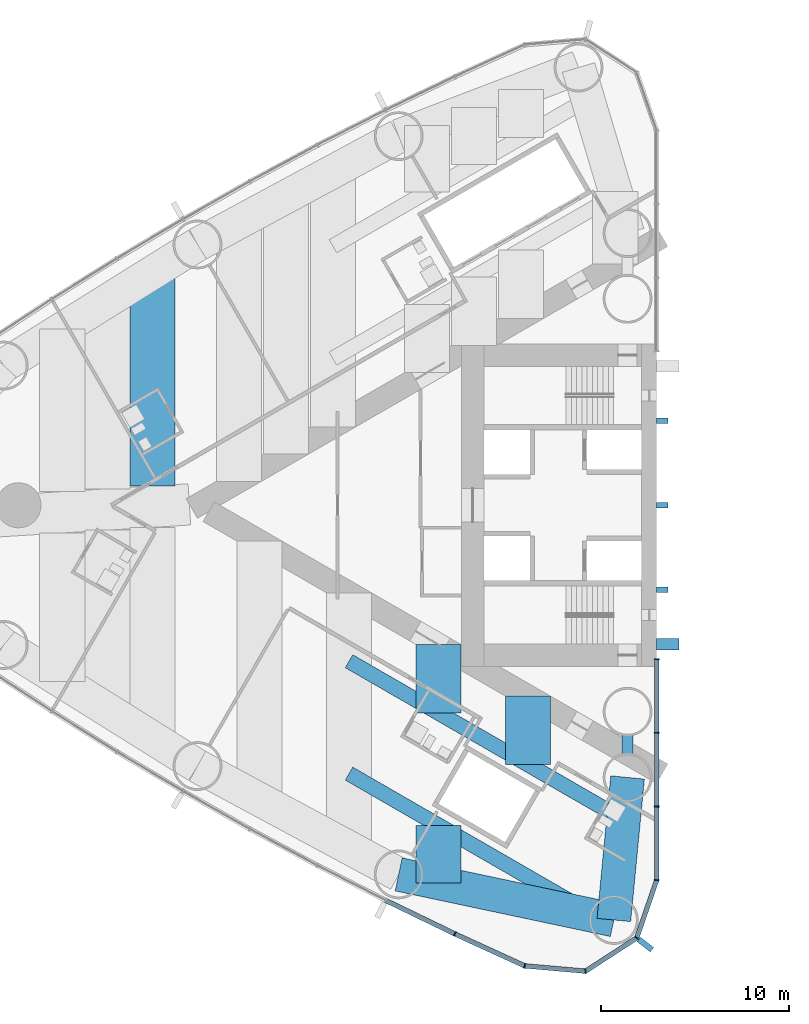
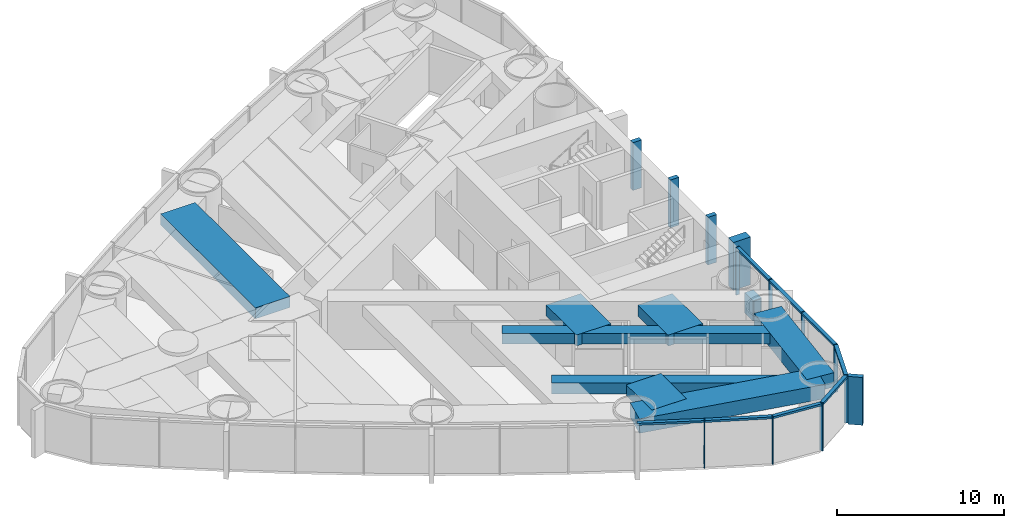
# One storey, part 3 of 18: 21 members, 9 beams, 1 element without a shape of its own.
"""IFC4 building model written with IfcOpenShell, lengths in metres."""

from ifc_helpers import new_model, si_unit, direction, frame, origin, origin_2d, place, context, subcontext, project, spatial, rectangle, hollow_rectangle, extrude, material, material_profile, profile_set, type_object, element, aggregate, save


model = new_model("IFC4")

# Units and contexts
model_context = context("Model", 3, precision=1e-05, world=origin(), true_north=direction((0.0, 1.0)))
body_context = subcontext(model_context, "Body", "Model", "MODEL_VIEW")
ifc_project = project(units=[si_unit("LENGTHUNIT", "METRE"), si_unit("AREAUNIT", "SQUARE_METRE"), si_unit("VOLUMEUNIT", "CUBIC_METRE"), si_unit("PLANEANGLEUNIT", "RADIAN"), si_unit("MASSUNIT", "GRAM", prefix="KILO")], contexts=[model_context])

# Site, building, storey
site_placement = place(None, origin())
site = spatial("IfcSite", under=ifc_project, at=site_placement, CompositionType="ELEMENT")
building_placement = place(site_placement, origin())
building = spatial("IfcBuilding", under=site, at=building_placement, Name="Lancet Gate Hotel", CompositionType="ELEMENT")
storey_placement = place(building_placement, frame((0.0, 0.0, 136.10009765625)))
storey = spatial("IfcBuildingStorey", under=building, at=storey_placement, Name="L36", CompositionType="ELEMENT", Elevation=136.10009765625)

# Curtain wall, members
ifc_material_1 = material(Name="Aluminium curtain wall", Category="aluminium")
curtain_wall_type = type_object("IfcCurtainWallType", Name="Tower unitised curtain wall", PredefinedType="USERDEFINED", material=ifc_material_1)
curtain_wall_placement = place(storey_placement, origin())
curtain_wall = element("IfcCurtainWall", 1, at=curtain_wall_placement, inside=storey, type_object=curtain_wall_type, Name="T1 L36 curtain wall 1", ObjectType="UNITISED CURTAIN WALL", PredefinedType="USERDEFINED")
ifc_material_2 = material(Name="Aluminium mullion", Category="aluminium")
ifc_material_profile_1 = material_profile(ifc_material_2, rectangle(XDim=0.06494140625, YDim=0.25, at=origin_2d()), Name="MULLION 65x250")
ifc_profile_set_1 = profile_set([ifc_material_profile_1], Name="Aluminium mullion")
member_type_1 = type_object("IfcMemberType", Name="Aluminium mullion 65x250", PredefinedType="MULLION", material=ifc_profile_set_1)
member_1_placement = place(storey_placement, frame((-38.25244140625, -22.83642578125, 0.0), z_axis=(0.0, 0.0, 1.0), x_axis=(0.904719609771, -0.426007544178, 0.0)))
member_1 = element("IfcMember", 2, at=member_1_placement, type_object=member_type_1, Name="T1 L36 curtain wall 1 mullion 29", PredefinedType="MULLION", context=body_context, shape_type="SweptSolid", body=[
    extrude(rectangle(XDim=0.06494140625, YDim=0.25, at=origin_2d()), origin(), (0.0, 0.0, 1.0), 3.5),
])
member_2_placement = place(storey_placement, frame((-34.5322265625, -24.53955078125, 0.0), z_axis=(0.0, 0.0, 1.0), x_axis=(0.961653318232, -0.27426792655, 0.0)))
member_2 = element("IfcMember", 3, at=member_2_placement, type_object=member_type_1, Name="T1 L36 curtain wall 1 mullion 30", PredefinedType="MULLION", context=body_context, shape_type="SweptSolid", body=[
    extrude(rectangle(XDim=0.06494140625, YDim=0.25, at=origin_2d()), origin(), (0.0, 0.0, 1.0), 3.5),
])
member_3_placement = place(storey_placement, frame((-31.289306640625, -24.822265625, 0.0), z_axis=(0.0, 0.0, 1.0), x_axis=(0.970242142288, 0.242136707934, 0.0)))
member_3 = element("IfcMember", 4, at=member_3_placement, type_object=member_type_1, Name="T1 L36 curtain wall 1 mullion 31", PredefinedType="MULLION", context=body_context, shape_type="SweptSolid", body=[
    extrude(rectangle(XDim=0.06494140625, YDim=0.25, at=origin_2d()), origin(), (0.0, 0.0, 1.0), 3.5),
])
member_4_placement = place(storey_placement, frame((-28.5595703125, -23.049072265625, 0.0), z_axis=(0.0, 0.0, 1.0), x_axis=(0.615574240878, 0.788078900851, 0.0)))
member_4 = element("IfcMember", 5, at=member_4_placement, type_object=member_type_1, Name="T1 L36 curtain wall 1 mullion 32", PredefinedType="MULLION", context=body_context, shape_type="SweptSolid", body=[
    extrude(rectangle(XDim=0.06494140625, YDim=0.25, at=origin_2d()), origin(), (0.0, 0.0, 1.0), 3.5),
])
member_5_placement = place(storey_placement, frame((-27.5, -19.97119140625, 0.0), z_axis=(0.0, 0.0, 1.0), x_axis=(0.149634446211, 0.988741388082, 0.0)))
member_5 = element("IfcMember", 6, at=member_5_placement, type_object=member_type_1, Name="T1 L36 curtain wall 1 mullion 33", PredefinedType="MULLION", context=body_context, shape_type="SweptSolid", body=[
    extrude(rectangle(XDim=0.06494140625, YDim=0.25, at=origin_2d()), origin(), (0.0, 0.0, 1.0), 3.5),
])
member_6_placement = place(storey_placement, frame((-27.5, -16.04736328125, 0.0), z_axis=(0.0, 0.0, 1.0), x_axis=(0.0, 1.0, 0.0)))
member_6 = element("IfcMember", 7, at=member_6_placement, type_object=member_type_1, Name="T1 L36 curtain wall 1 mullion 34", PredefinedType="MULLION", context=body_context, shape_type="SweptSolid", body=[
    extrude(rectangle(XDim=0.06494140625, YDim=0.25, at=origin_2d()), origin(), (0.0, 0.0, 1.0), 3.5),
])
member_7_placement = place(storey_placement, frame((-27.5, -12.123779296875, 0.0), z_axis=(0.0, 0.0, 1.0), x_axis=(0.0, 1.0, 0.0)))
member_7 = element("IfcMember", 8, at=member_7_placement, type_object=member_type_1, Name="T1 L36 curtain wall 1 mullion 35", PredefinedType="MULLION", context=body_context, shape_type="SweptSolid", body=[
    extrude(rectangle(XDim=0.06494140625, YDim=0.25, at=origin_2d()), origin(), (0.0, 0.0, 1.0), 3.5),
])
member_8_placement = place(storey_placement, frame((-27.5, -8.199951171875, 0.0), z_axis=(0.0, 0.0, 1.0), x_axis=(0.0, 1.0, 0.0)))
member_8 = element("IfcMember", 9, at=member_8_placement, type_object=member_type_1, Name="T1 L36 curtain wall 1 mullion 36", PredefinedType="MULLION", context=body_context, shape_type="SweptSolid", body=[
    extrude(rectangle(XDim=0.06494140625, YDim=0.25, at=origin_2d()), origin(), (0.0, 0.0, 1.0), 3.5),
])
ifc_material_3 = material(Name="Aluminium transom", Category="aluminium")
ifc_material_profile_2 = material_profile(ifc_material_3, rectangle(XDim=0.25, YDim=0.14990234375, at=origin_2d()), Name="TRANSOM 250x150")
ifc_profile_set_2 = profile_set([ifc_material_profile_2], Name="Aluminium transom")
member_type_2 = type_object("IfcMemberType", Name="Aluminium transom 250x150", PredefinedType="USERDEFINED", material=ifc_profile_set_2)
member_9_placement = place(storey_placement, frame((-41.906005859375, -21.067626953125, 3.4248046875), z_axis=(0.900065677074, -0.435754262117, 0.0), x_axis=(0.435754262117, 0.900065677074, 0.0)))
member_9 = element("IfcMember", 10, at=member_9_placement, type_object=member_type_2, Name="T1 L36 curtain wall 1 transom 28", ObjectType="TRANSOM", PredefinedType="USERDEFINED", context=body_context, shape_type="SweptSolid", body=[
    extrude(rectangle(XDim=0.25, YDim=0.14990234375, at=origin_2d()), origin(), (0.0, 0.0, 1.0), 4.026611328125),
])
member_10_placement = place(storey_placement, frame((-38.222900390625, -22.849853515625, 3.4248046875), z_axis=(0.909252284196, -0.416245460857, 0.0), x_axis=(0.416245460857, 0.909252284196, 0.0)))
member_10 = element("IfcMember", 11, at=member_10_placement, type_object=member_type_2, Name="T1 L36 curtain wall 1 transom 29", ObjectType="TRANSOM", PredefinedType="USERDEFINED", context=body_context, shape_type="SweptSolid", body=[
    extrude(rectangle(XDim=0.25, YDim=0.14990234375, at=origin_2d()), origin(), (0.0, 0.0, 1.0), 4.026611328125),
])
member_11_placement = place(storey_placement, frame((-34.499755859375, -24.542236328125, 3.4248046875), z_axis=(0.996213545522, -0.086940046686, 0.0), x_axis=(0.086940046686, 0.996213545522, 0.0)))
member_11 = element("IfcMember", 12, at=member_11_placement, type_object=member_type_2, Name="T1 L36 curtain wall 1 transom 30", ObjectType="TRANSOM", PredefinedType="USERDEFINED", context=body_context, shape_type="SweptSolid", body=[
    extrude(rectangle(XDim=0.25, YDim=0.14990234375, at=origin_2d()), origin(), (0.0, 0.0, 1.0), 3.18994140625),
])
member_12_placement = place(storey_placement, frame((-31.261962890625, -24.8046875, 3.4248046875), z_axis=(0.838550259452, 0.544824249068, 0.0), x_axis=(-0.544824249068, 0.838550259452, 0.0)))
member_12 = element("IfcMember", 13, at=member_12_placement, type_object=member_type_2, Name="T1 L36 curtain wall 1 transom 31", ObjectType="TRANSOM", PredefinedType="USERDEFINED", context=body_context, shape_type="SweptSolid", body=[
    extrude(rectangle(XDim=0.25, YDim=0.14990234375, at=origin_2d()), origin(), (0.0, 0.0, 1.0), 3.190185546875),
])
member_13_placement = place(storey_placement, frame((-28.549072265625, -23.018310546875, 3.4248046875), z_axis=(0.32553312754, 0.945530635609, 0.0), x_axis=(-0.945530635609, 0.32553312754, 0.0)))
member_13 = element("IfcMember", 14, at=member_13_placement, type_object=member_type_2, Name="T1 L36 curtain wall 1 transom 32", ObjectType="TRANSOM", PredefinedType="USERDEFINED", context=body_context, shape_type="SweptSolid", body=[
    extrude(rectangle(XDim=0.25, YDim=0.14990234375, at=origin_2d()), origin(), (0.0, 0.0, 1.0), 3.1904296875),
])
member_14_placement = place(storey_placement, frame((-27.5, -19.9384765625, 3.4248046875), z_axis=(0.0, 1.0, 0.0), x_axis=(-1.0, 0.0, 0.0)))
member_14 = element("IfcMember", 15, at=member_14_placement, type_object=member_type_2, Name="T1 L36 curtain wall 1 transom 33", ObjectType="TRANSOM", PredefinedType="USERDEFINED", context=body_context, shape_type="SweptSolid", body=[
    extrude(rectangle(XDim=0.25, YDim=0.14990234375, at=origin_2d()), origin(), (0.0, 0.0, 1.0), 3.858642578125),
])
member_15_placement = place(storey_placement, frame((-27.5, -16.014892578125, 3.4248046875), z_axis=(0.0, 1.0, 0.0), x_axis=(-1.0, 0.0, 0.0)))
member_15 = element("IfcMember", 16, at=member_15_placement, type_object=member_type_2, Name="T1 L36 curtain wall 1 transom 34", ObjectType="TRANSOM", PredefinedType="USERDEFINED", context=body_context, shape_type="SweptSolid", body=[
    extrude(rectangle(XDim=0.25, YDim=0.14990234375, at=origin_2d()), origin(), (0.0, 0.0, 1.0), 3.858642578125),
])
member_16_placement = place(storey_placement, frame((-27.5, -12.09130859375, 3.4248046875), z_axis=(0.0, 1.0, 0.0), x_axis=(-1.0, 0.0, 0.0)))
member_16 = element("IfcMember", 17, at=member_16_placement, type_object=member_type_2, Name="T1 L36 curtain wall 1 transom 35", ObjectType="TRANSOM", PredefinedType="USERDEFINED", context=body_context, shape_type="SweptSolid", body=[
    extrude(rectangle(XDim=0.25, YDim=0.14990234375, at=origin_2d()), origin(), (0.0, 0.0, 1.0), 3.85888671875),
])

# Beams
ifc_material_4 = material(Name="Concrete C50/60", Category="concrete")
ifc_material_profile_3 = material_profile(ifc_material_4, rectangle(XDim=1.800048828125, YDim=1.050048828125, at=origin_2d()), Name="RC 1800x1050")
ifc_profile_set_3 = profile_set([ifc_material_profile_3], Name="Concrete C50/60")
beam_type_1 = type_object("IfcBeamType", Name="Edge beam RC 1800x1050", PredefinedType="SPANDREL", material=ifc_profile_set_3)
beam_1_placement = place(storey_placement, frame((-41.244873046875, -19.665771484375, 2.724853515625), z_axis=(0.978282156247, -0.207277646573, 0.0), x_axis=(0.207277646573, 0.978282156247, 0.0)))
element("IfcBeam", 18, at=beam_1_placement, inside=storey, type_object=beam_type_1, Name="T1 edge beam EB1 L36", PredefinedType="SPANDREL", context=body_context, shape_type="SweptSolid", body=[
    extrude(rectangle(XDim=1.800048828125, YDim=1.050048828125, at=origin_2d()), origin(), (0.0, 0.0, 1.0), 11.71826171875),
])
beam_2_placement = place(storey_placement, frame((-29.050048828125, -14.5, 2.724853515625), z_axis=(-0.095802643786, -0.995400348324, 0.0), x_axis=(0.995400348324, -0.095802643786, 0.0)))
element("IfcBeam", 19, at=beam_2_placement, inside=storey, type_object=beam_type_1, Name="T1 edge beam EB1 L36", PredefinedType="SPANDREL", context=body_context, shape_type="SweptSolid", body=[
    extrude(rectangle(XDim=1.800048828125, YDim=1.050048828125, at=origin_2d()), origin(), (0.0, 0.0, 1.0), 7.6298828125),
])

# Member
ifc_material_5 = material(Name="Concrete C60/75", Category="concrete")
ifc_material_profile_4 = material_profile(ifc_material_5, rectangle(XDim=0.60009765625, YDim=1.199951171875, at=origin_2d()), Name="FIN 600x1200")
ifc_profile_set_4 = profile_set([ifc_material_profile_4], Name="Concrete C60/75")
member_type_3 = type_object("IfcMemberType", Name="Exposed concrete buttress pilaster 600x1200", PredefinedType="USERDEFINED", material=ifc_profile_set_4)
member_17_placement = place(storey_placement, frame((-26.909912109375, -7.39990234375, 0.0), z_axis=(0.0, 0.0, 1.0), x_axis=(0.0, 1.0, 0.0)))
element("IfcMember", 20, at=member_17_placement, inside=storey, type_object=member_type_3, Name="T1 buttress pilaster N L36", ObjectType="FIN", PredefinedType="USERDEFINED", context=body_context, shape_type="SweptSolid", body=[
    extrude(rectangle(XDim=0.60009765625, YDim=1.199951171875, at=origin_2d()), origin(), (0.0, 0.0, 1.0), 3.5),
])

ifc_material_6 = material(Name="Precast concrete C50/60", Category="concrete")
ifc_material_profile_5 = material_profile(ifc_material_6, rectangle(XDim=0.300048828125, YDim=0.89990234375, at=origin_2d()), Name="FIN 300x900")
ifc_profile_set_5 = profile_set([ifc_material_profile_5], Name="Precast concrete C50/60")
member_type_4 = type_object("IfcMemberType", Name="Exposed concrete fin 300x900", PredefinedType="USERDEFINED", material=ifc_profile_set_5)
member_18_placement = place(storey_placement, frame((-28.1064453125, -23.40283203125, 0.0), z_axis=(0.0, 0.0, 1.0), x_axis=(0.615574240878, 0.788078900851, 0.0)))
member_18 = element("IfcMember", 21, at=member_18_placement, type_object=member_type_4, Name="T1 L36 curtain wall 1 fin 32", ObjectType="FIN", PredefinedType="USERDEFINED", context=body_context, shape_type="SweptSolid", body=[
    extrude(rectangle(XDim=0.300048828125, YDim=0.89990234375, at=origin_2d()), origin(), (0.0, 0.0, 1.0), 3.5),
])

aggregate(curtain_wall, [member_1, member_2, member_3, member_4, member_18, member_5, member_6, member_7, member_8, member_9, member_10, member_11, member_12, member_13, member_14, member_15, member_16])

# Members
ifc_material_7 = material(Name="Concrete C60/75", Category="concrete")
ifc_material_profile_6 = material_profile(ifc_material_7, rectangle(XDim=0.300048828125, YDim=0.60009765625, at=origin_2d()), Name="FIN 300x600")
ifc_profile_set_6 = profile_set([ifc_material_profile_6], Name="Concrete C60/75")
member_type_5 = type_object("IfcMemberType", Name="Exposed concrete rib 300x600", PredefinedType="USERDEFINED", material=ifc_profile_set_6)
for number, where, z_axis, x_axis, name in (
    (22, (-27.2099609375, 4.5, 0.0), (0.0, 0.0, 1.0), (0.0, 1.0, 0.0), "T1 core rib 1 L36"),
    (23, (-27.2099609375, 0.0, 0.0), (0.0, 0.0, 1.0), (0.0, 1.0, 0.0), "T1 core rib 2 L36"),
    (24, (-27.2099609375, -4.5, 0.0), (0.0, 0.0, 1.0), (0.0, 1.0, 0.0), "T1 core rib 3 L36"),
):
    element("IfcMember", number, at=place(storey_placement, frame(where, z_axis=z_axis, x_axis=x_axis)), inside=storey, type_object=member_type_5, Name=name, ObjectType="FIN", PredefinedType="USERDEFINED", context=body_context, shape_type="SweptSolid", body=[
        extrude(rectangle(XDim=0.300048828125, YDim=0.60009765625, at=origin_2d()), origin(), (0.0, 0.0, 1.0), 3.5),
    ])

# Beams
ifc_material_8 = material(Name="Concrete C50/60", Category="concrete")
ifc_material_profile_7 = material_profile(ifc_material_8, rectangle(XDim=2.39990234375, YDim=0.800048828125, at=origin_2d()), Name="RC 2400x800")
ifc_profile_set_7 = profile_set([ifc_material_profile_7], Name="Concrete C50/60")
beam_type_2 = type_object("IfcBeamType", Name="Floor beam RC 2400x800", PredefinedType="BEAM", material=ifc_profile_set_7)
beam_3_placement = place(storey_placement, frame((-54.3681640625, 12.392333984375, 2.849853515625), z_axis=(0.0, -1.0, 0.0), x_axis=(1.0, 0.0, 0.0)))
element("IfcBeam", 25, at=beam_3_placement, inside=storey, type_object=beam_type_2, Name="T1 floor beam F13S L36", PredefinedType="BEAM", context=body_context, shape_type="SweptSolid", body=[
    extrude(rectangle(XDim=2.39990234375, YDim=0.800048828125, at=origin_2d()), origin(), (0.0, 0.0, 1.0), 11.364990234375),
])
beam_4_placement = place(storey_placement, frame((-34.353515625, -10.169921875, 2.849853515625), z_axis=(0.0, -1.0, 0.0), x_axis=(1.0, 0.0, 0.0)))
element("IfcBeam", 26, at=beam_4_placement, inside=storey, type_object=beam_type_2, Name="T1 floor beam F03NA L36", PredefinedType="BEAM", context=body_context, shape_type="SweptSolid", body=[
    extrude(rectangle(XDim=2.39990234375, YDim=0.800048828125, at=origin_2d()), origin(), (0.0, 0.0, 1.0), 3.645751953125),
])
beam_5_placement = place(storey_placement, frame((-39.122314453125, -7.41650390625, 2.849853515625), z_axis=(0.0, -1.0, 0.0), x_axis=(1.0, 0.0, 0.0)))
element("IfcBeam", 27, at=beam_5_placement, inside=storey, type_object=beam_type_2, Name="T1 floor beam F06NA L36", PredefinedType="BEAM", context=body_context, shape_type="SweptSolid", body=[
    extrude(rectangle(XDim=2.39990234375, YDim=0.800048828125, at=origin_2d()), origin(), (0.0, 0.0, 1.0), 3.64599609375),
])
beam_6_placement = place(storey_placement, frame((-39.122314453125, -17.0498046875, 2.849853515625), z_axis=(0.0, -1.0, 0.0), x_axis=(1.0, 0.0, 0.0)))
element("IfcBeam", 28, at=beam_6_placement, inside=storey, type_object=beam_type_2, Name="T1 floor beam F06NB L36", PredefinedType="BEAM", context=body_context, shape_type="SweptSolid", body=[
    extrude(rectangle(XDim=2.39990234375, YDim=0.800048828125, at=origin_2d()), origin(), (0.0, 0.0, 1.0), 3.065673828125),
])
ifc_material_9 = material(Name="Steel S460QL", Category="steel")
ifc_material_profile_8 = material_profile(ifc_material_9, hollow_rectangle(XDim=0.60009765625, YDim=1.5, WallThickness=0.050048828125, at=origin_2d()), Name="BOX 1500x600x50")
ifc_profile_set_8 = profile_set([ifc_material_profile_8], Name="Steel S460QL")
beam_type_3 = type_object("IfcBeamType", Name="Inner-face link beam BOX 1500x600x50", PredefinedType="BEAM", material=ifc_profile_set_8)
beam_7_placement = place(storey_placement, frame((-29.050048828125, -12.25, 2.5), z_axis=(0.0, -1.0, 0.0), x_axis=(1.0, 0.0, 0.0)))
element("IfcBeam", 29, at=beam_7_placement, inside=storey, type_object=beam_type_3, Name="T1 inner-face link beam LK1 L36", PredefinedType="BEAM", context=body_context, shape_type="SweptSolid", body=[
    extrude(hollow_rectangle(XDim=0.60009765625, YDim=1.5, WallThickness=0.050048828125, at=origin_2d()), origin(), (0.0, 0.0, 1.0), 1.0),
])
ifc_material_10 = material(Name="Steel S460QL", Category="steel")
ifc_material_profile_9 = material_profile(ifc_material_10, hollow_rectangle(XDim=0.800048828125, YDim=0.800048828125, WallThickness=0.080078125, at=origin_2d()), Name="BOX 800x800x80")
ifc_profile_set_9 = profile_set([ifc_material_profile_9], Name="Steel S460QL")
beam_type_4 = type_object("IfcBeamType", Name="Trimmer beam BOX 800x800x80", PredefinedType="BEAM", material=ifc_profile_set_9)
beam_8_placement = place(storey_placement, frame((-29.58447265625, -16.56884765625, 2.849853515625), z_axis=(-0.866040141834, 0.49997447208, 0.0), x_axis=(-0.49997447208, -0.866040141834, 0.0)))
element("IfcBeam", 30, at=beam_8_placement, inside=storey, type_object=beam_type_4, Name="T1 trimmer beam TR01N L36", PredefinedType="BEAM", context=body_context, shape_type="SweptSolid", body=[
    extrude(hollow_rectangle(XDim=0.800048828125, YDim=0.800048828125, WallThickness=0.080078125, at=origin_2d()), origin(), (0.0, 0.0, 1.0), 16.519775390625),
])
beam_9_placement = place(storey_placement, frame((-30.982421875, -21.7490234375, 2.849853515625), z_axis=(-0.866042392862, 0.4999705729, 0.0), x_axis=(-0.4999705729, -0.866042392862, 0.0)))
element("IfcBeam", 31, at=beam_9_placement, inside=storey, type_object=beam_type_4, Name="T1 trimmer beam TR03N L36", PredefinedType="BEAM", context=body_context, shape_type="SweptSolid", body=[
    extrude(hollow_rectangle(XDim=0.800048828125, YDim=0.800048828125, WallThickness=0.080078125, at=origin_2d()), origin(), (0.0, 0.0, 1.0), 14.90576171875),
])

save(model, "model.ifc")
